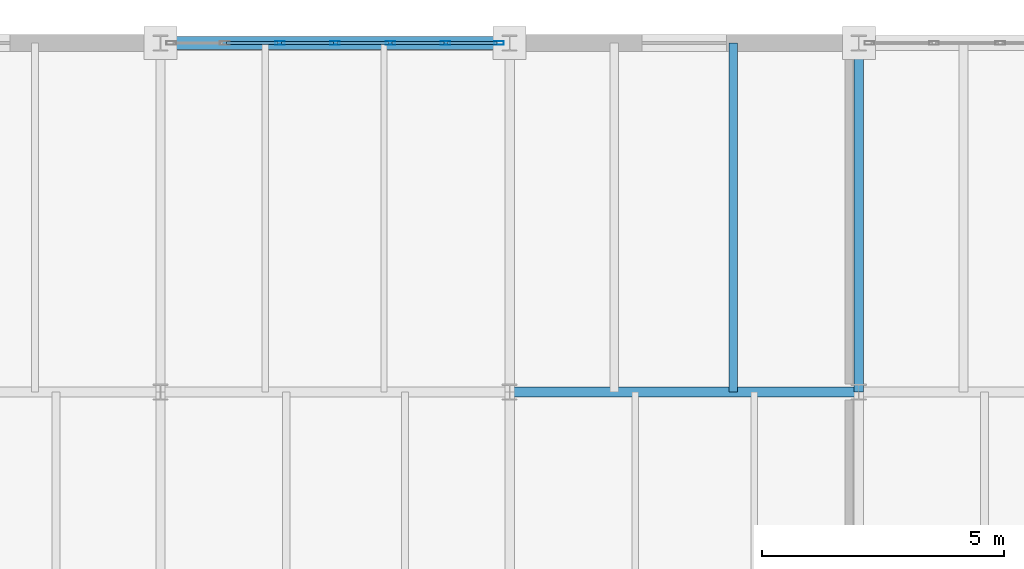
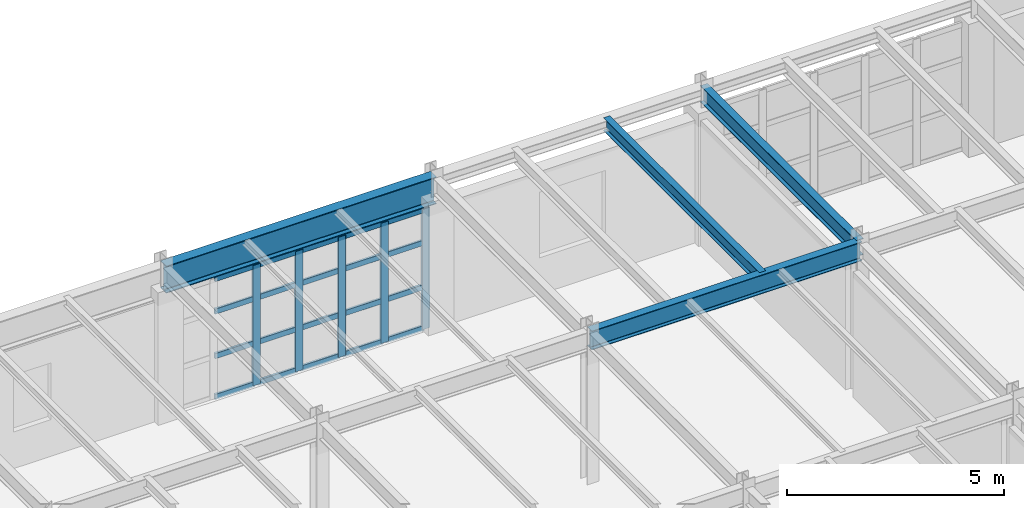
# One storey, part 60 of 137: 25 members, 4 beams, 1 element without a shape of its own.
"""IFC4 building model written with IfcOpenShell, lengths in metres."""

from ifc_helpers import new_model, si_unit, direction, frame, origin, origin_2d, place, context, subcontext, project, spatial, hollow_rectangle, i_section, extrude, material, layer, layer_set, material_profile, profile_set, type_object, element, aggregate, save


model = new_model("IFC4")

# Units and contexts
model_context = context("Model", 3, precision=1e-05, world=origin(), true_north=direction((0.0, 1.0)))
body_context = subcontext(model_context, "Body", "Model", "MODEL_VIEW")
ifc_project = project(units=[si_unit("LENGTHUNIT", "METRE"), si_unit("AREAUNIT", "SQUARE_METRE"), si_unit("VOLUMEUNIT", "CUBIC_METRE"), si_unit("PLANEANGLEUNIT", "RADIAN"), si_unit("MASSUNIT", "GRAM", prefix="KILO")], contexts=[model_context])

# Site, building, storey
site_placement = place(None, origin())
site = spatial("IfcSite", under=ifc_project, at=site_placement, CompositionType="ELEMENT")
building_placement = place(site_placement, origin())
building = spatial("IfcBuilding", under=site, at=building_placement, Name="Kemerveld Promenade Tramway Depot", CompositionType="ELEMENT")
storey_placement = place(building_placement, frame((0.0, 0.0, 5.39990234375)))
storey = spatial("IfcBuildingStorey", under=building, at=storey_placement, Name="L01", CompositionType="ELEMENT", Elevation=5.39990234375)

# Beams
ifc_material_1 = material(Name="Steel S355", Category="steel")
ifc_material_profile_1 = material_profile(ifc_material_1, i_section(OverallWidth=0.2666015625, OverallDepth=0.76220703125, WebThickness=0.014404296875, FlangeThickness=0.021484375, FilletRadius=0.0166015625, at=origin_2d()), Name="762x267x173 UB")
ifc_profile_set_1 = profile_set([ifc_material_profile_1], Name="Steel S355")
beam_type_1 = type_object("IfcBeamType", Name="BM-G02", PredefinedType="BEAM", material=ifc_profile_set_1)
beam_1_placement = place(storey_placement, frame((14.39990234375, 79.199951171875, 3.87890625), z_axis=(1.0, 0.0, 0.0), x_axis=(0.0, 1.0, 0.0)))
element("IfcBeam", 1, at=beam_1_placement, inside=storey, type_object=beam_type_1, Name="BMX-L01-03-04-M", PredefinedType="BEAM", context=body_context, shape_type="SweptSolid", body=[
    extrude(i_section(OverallWidth=0.2666015625, OverallDepth=0.76220703125, WebThickness=0.014404296875, FlangeThickness=0.021484375, FilletRadius=0.0166015625, at=origin_2d()), origin(), (0.0, 0.0, 1.0), 7.2001953125),
])
ifc_material_profile_2 = material_profile(ifc_material_1, i_section(OverallWidth=0.2099609375, OverallDepth=0.53662109375, WebThickness=0.0107421875, FlangeThickness=0.017333984375, FilletRadius=0.0126953125, at=origin_2d()), Name="533x210x101 UB")
ifc_profile_set_2 = profile_set([ifc_material_profile_2], Name="Steel S355")
beam_type_2 = type_object("IfcBeamType", Name="BM-G05", PredefinedType="BEAM", material=ifc_profile_set_2)
beam_2_placement = place(storey_placement, frame((21.60009765625, 72.0, 3.99169921875), z_axis=(1.0, 0.0, 0.0), x_axis=(0.0, 1.0, 0.0)))
element("IfcBeam", 2, at=beam_2_placement, inside=storey, type_object=beam_type_2, Name="BMX-L01-04-05-L", PredefinedType="BEAM", context=body_context, shape_type="SweptSolid", body=[
    extrude(i_section(OverallWidth=0.2099609375, OverallDepth=0.53662109375, WebThickness=0.0107421875, FlangeThickness=0.017333984375, FilletRadius=0.0126953125, at=origin_2d()), origin(), (0.0, 0.0, 1.0), 7.199951171875),
])
ifc_material_profile_3 = material_profile(ifc_material_1, i_section(OverallWidth=0.19140625, OverallDepth=0.4599609375, WebThickness=0.010009765625, FlangeThickness=0.01611328125, FilletRadius=0.01025390625, at=origin_2d()), Name="457x191x82 UB")
ifc_profile_set_3 = profile_set([ifc_material_profile_3], Name="Steel S355")
beam_type_3 = type_object("IfcBeamType", Name="BM-G06", PredefinedType="BEAM", material=ifc_profile_set_3)
beam_3_placement = place(storey_placement, frame((28.800048828125, 72.0, 4.030029296875), z_axis=(0.0, 1.0, 0.0), x_axis=(-1.0, 0.0, 0.0)))
element("IfcBeam", 3, at=beam_3_placement, inside=storey, type_object=beam_type_3, Name="BMY-L01-05-L-M", PredefinedType="BEAM", context=body_context, shape_type="SweptSolid", body=[
    extrude(i_section(OverallWidth=0.19140625, OverallDepth=0.4599609375, WebThickness=0.010009765625, FlangeThickness=0.01611328125, FilletRadius=0.01025390625, at=origin_2d()), origin(), (0.0, 0.0, 1.0), 7.199951171875),
])
ifc_material_profile_4 = material_profile(ifc_material_1, i_section(OverallWidth=0.172119140625, OverallDepth=0.35791015625, WebThickness=0.008056640625, FlangeThickness=0.012939453125, FilletRadius=0.01025390625, at=origin_2d()), Name="356x171x57 UB")
ifc_profile_set_4 = profile_set([ifc_material_profile_4], Name="Steel S355")
beam_type_4 = type_object("IfcBeamType", Name="BM-J04", PredefinedType="JOIST", material=ifc_profile_set_4)
beam_4_placement = place(storey_placement, frame((26.2080078125, 72.0, 4.0810546875), z_axis=(0.0, 1.0, 0.0), x_axis=(-1.0, 0.0, 0.0)))
element("IfcBeam", 4, at=beam_4_placement, inside=storey, type_object=beam_type_4, Name="JST-L01-04-L-2", PredefinedType="JOIST", context=body_context, shape_type="SweptSolid", body=[
    extrude(i_section(OverallWidth=0.172119140625, OverallDepth=0.35791015625, WebThickness=0.008056640625, FlangeThickness=0.012939453125, FilletRadius=0.01025390625, at=origin_2d()), origin(), (0.0, 0.0, 1.0), 7.199951171875),
])

# Curtain wall, members
ifc_material_2 = material(Name="Bronze anodised aluminium and solar glass", Category="aluminium")
ifc_layer = layer(ifc_material_2, 0.199951171875)
ifc_layer_set = layer_set([ifc_layer], Name="CW-SYS-06")
curtain_wall_type = type_object("IfcCurtainWallType", Name="CW-SYS-06", PredefinedType="USERDEFINED", material=ifc_layer_set)
curtain_wall_placement = place(storey_placement, origin())
curtain_wall = element("IfcCurtainWall", 5, at=curtain_wall_placement, inside=storey, type_object=curtain_wall_type, Name="CW-L01-V5N-03", ObjectType="GLAZED_CURTAIN_WALL", PredefinedType="USERDEFINED")
ifc_material_3 = material(Name="Bronze anodised aluminium", Category="aluminium")
ifc_material_profile_5 = material_profile(ifc_material_3, hollow_rectangle(XDim=0.074951171875, YDim=0.199951171875, WallThickness=0.0048828125, InnerFilletRadius=0.001953125, OuterFilletRadius=0.0048828125, at=origin_2d()), Name="CW-MUL-200x75")
ifc_profile_set_5 = profile_set([ifc_material_profile_5], Name="Bronze anodised aluminium")
member_type_1 = type_object("IfcMemberType", Name="CW-MUL-B", PredefinedType="MULLION", material=ifc_profile_set_5)
member_1_placement = place(storey_placement, frame((16.861328125, 79.199951171875, 0.0), z_axis=(0.0, 0.0, 1.0), x_axis=(0.0, 1.0, 0.0)))
member_1 = element("IfcMember", 6, at=member_1_placement, type_object=member_type_1, Name="CW06 mullion 3", PredefinedType="MULLION", context=body_context, shape_type="SweptSolid", body=[
    extrude(hollow_rectangle(XDim=0.074951171875, YDim=0.199951171875, WallThickness=0.0048828125, InnerFilletRadius=0.001953125, OuterFilletRadius=0.0048828125, at=origin_2d()), origin(), (0.0, 0.0, 1.0), 3.389404296875),
])
member_2_placement = place(storey_placement, frame((18.0, 79.199951171875, 0.0), z_axis=(0.0, 0.0, 1.0), x_axis=(0.0, 1.0, 0.0)))
member_2 = element("IfcMember", 7, at=member_2_placement, type_object=member_type_1, Name="CW06 mullion 4", PredefinedType="MULLION", context=body_context, shape_type="SweptSolid", body=[
    extrude(hollow_rectangle(XDim=0.074951171875, YDim=0.199951171875, WallThickness=0.0048828125, InnerFilletRadius=0.001953125, OuterFilletRadius=0.0048828125, at=origin_2d()), origin(), (0.0, 0.0, 1.0), 3.389404296875),
])
member_3_placement = place(storey_placement, frame((19.138916015625, 79.199951171875, 0.0), z_axis=(0.0, 0.0, 1.0), x_axis=(0.0, 1.0, 0.0)))
member_3 = element("IfcMember", 8, at=member_3_placement, type_object=member_type_1, Name="CW06 mullion 5", PredefinedType="MULLION", context=body_context, shape_type="SweptSolid", body=[
    extrude(hollow_rectangle(XDim=0.074951171875, YDim=0.199951171875, WallThickness=0.0048828125, InnerFilletRadius=0.001953125, OuterFilletRadius=0.0048828125, at=origin_2d()), origin(), (0.0, 0.0, 1.0), 3.389404296875),
])
member_4_placement = place(storey_placement, frame((20.277587890625, 79.199951171875, 0.0), z_axis=(0.0, 0.0, 1.0), x_axis=(0.0, 1.0, 0.0)))
member_4 = element("IfcMember", 9, at=member_4_placement, type_object=member_type_1, Name="CW06 mullion 6", PredefinedType="MULLION", context=body_context, shape_type="SweptSolid", body=[
    extrude(hollow_rectangle(XDim=0.074951171875, YDim=0.199951171875, WallThickness=0.0048828125, InnerFilletRadius=0.001953125, OuterFilletRadius=0.0048828125, at=origin_2d()), origin(), (0.0, 0.0, 1.0), 3.389404296875),
])
member_5_placement = place(storey_placement, frame((21.37890625, 79.199951171875, 0.0), z_axis=(0.0, 0.0, 1.0), x_axis=(0.0, 1.0, 0.0)))
member_5 = element("IfcMember", 10, at=member_5_placement, type_object=member_type_1, Name="CW06 mullion 7", PredefinedType="MULLION", context=body_context, shape_type="SweptSolid", body=[
    extrude(hollow_rectangle(XDim=0.074951171875, YDim=0.199951171875, WallThickness=0.0048828125, InnerFilletRadius=0.001953125, OuterFilletRadius=0.0048828125, at=origin_2d()), origin(), (0.0, 0.0, 1.0), 3.389404296875),
])
ifc_material_profile_6 = material_profile(ifc_material_3, hollow_rectangle(XDim=0.06494140625, YDim=0.14990234375, WallThickness=0.00439453125, InnerFilletRadius=0.001953125, OuterFilletRadius=0.00439453125, at=origin_2d()), Name="CW-TRN-150x65")
ifc_profile_set_6 = profile_set([ifc_material_profile_6], Name="Bronze anodised aluminium")
member_type_2 = type_object("IfcMemberType", Name="CW-TRN-B", PredefinedType="USERDEFINED", material=ifc_profile_set_6)
member_6_placement = place(storey_placement, frame((15.760009765625, 79.199951171875, 0.03271484375), z_axis=(1.0, 0.0, 0.0), x_axis=(0.0, 1.0, 0.0)))
member_6 = element("IfcMember", 11, at=member_6_placement, type_object=member_type_2, Name="CW06 transom 2.1", ObjectType="TRANSOM", PredefinedType="USERDEFINED", context=body_context, shape_type="SweptSolid", body=[
    extrude(hollow_rectangle(XDim=0.06494140625, YDim=0.14990234375, WallThickness=0.00439453125, InnerFilletRadius=0.001953125, OuterFilletRadius=0.00439453125, at=origin_2d()), origin(), (0.0, 0.0, 1.0), 1.063720703125),
])
member_7_placement = place(storey_placement, frame((15.760009765625, 79.199951171875, 1.18603515625), z_axis=(1.0, 0.0, 0.0), x_axis=(0.0, 1.0, 0.0)))
member_7 = element("IfcMember", 12, at=member_7_placement, type_object=member_type_2, Name="CW06 transom 2.2", ObjectType="TRANSOM", PredefinedType="USERDEFINED", context=body_context, shape_type="SweptSolid", body=[
    extrude(hollow_rectangle(XDim=0.06494140625, YDim=0.14990234375, WallThickness=0.00439453125, InnerFilletRadius=0.001953125, OuterFilletRadius=0.00439453125, at=origin_2d()), origin(), (0.0, 0.0, 1.0), 1.063720703125),
])
member_8_placement = place(storey_placement, frame((15.760009765625, 79.199951171875, 2.440185546875), z_axis=(1.0, 0.0, 0.0), x_axis=(0.0, 1.0, 0.0)))
member_8 = element("IfcMember", 13, at=member_8_placement, type_object=member_type_2, Name="CW06 transom 2.3", ObjectType="TRANSOM", PredefinedType="USERDEFINED", context=body_context, shape_type="SweptSolid", body=[
    extrude(hollow_rectangle(XDim=0.06494140625, YDim=0.14990234375, WallThickness=0.00439453125, InnerFilletRadius=0.001953125, OuterFilletRadius=0.00439453125, at=origin_2d()), origin(), (0.0, 0.0, 1.0), 1.063720703125),
])
member_9_placement = place(storey_placement, frame((15.760009765625, 79.199951171875, 3.356689453125), z_axis=(1.0, 0.0, 0.0), x_axis=(0.0, 1.0, 0.0)))
member_9 = element("IfcMember", 14, at=member_9_placement, type_object=member_type_2, Name="CW06 transom 2.4", ObjectType="TRANSOM", PredefinedType="USERDEFINED", context=body_context, shape_type="SweptSolid", body=[
    extrude(hollow_rectangle(XDim=0.06494140625, YDim=0.14990234375, WallThickness=0.00439453125, InnerFilletRadius=0.001953125, OuterFilletRadius=0.00439453125, at=origin_2d()), origin(), (0.0, 0.0, 1.0), 1.063720703125),
])
member_10_placement = place(storey_placement, frame((16.898681640625, 79.199951171875, 0.03271484375), z_axis=(1.0, 0.0, 0.0), x_axis=(0.0, 1.0, 0.0)))
member_10 = element("IfcMember", 15, at=member_10_placement, type_object=member_type_2, Name="CW06 transom 3.1", ObjectType="TRANSOM", PredefinedType="USERDEFINED", context=body_context, shape_type="SweptSolid", body=[
    extrude(hollow_rectangle(XDim=0.06494140625, YDim=0.14990234375, WallThickness=0.00439453125, InnerFilletRadius=0.001953125, OuterFilletRadius=0.00439453125, at=origin_2d()), origin(), (0.0, 0.0, 1.0), 1.06396484375),
])
member_11_placement = place(storey_placement, frame((16.898681640625, 79.199951171875, 1.18603515625), z_axis=(1.0, 0.0, 0.0), x_axis=(0.0, 1.0, 0.0)))
member_11 = element("IfcMember", 16, at=member_11_placement, type_object=member_type_2, Name="CW06 transom 3.2", ObjectType="TRANSOM", PredefinedType="USERDEFINED", context=body_context, shape_type="SweptSolid", body=[
    extrude(hollow_rectangle(XDim=0.06494140625, YDim=0.14990234375, WallThickness=0.00439453125, InnerFilletRadius=0.001953125, OuterFilletRadius=0.00439453125, at=origin_2d()), origin(), (0.0, 0.0, 1.0), 1.06396484375),
])
member_12_placement = place(storey_placement, frame((16.898681640625, 79.199951171875, 2.440185546875), z_axis=(1.0, 0.0, 0.0), x_axis=(0.0, 1.0, 0.0)))
member_12 = element("IfcMember", 17, at=member_12_placement, type_object=member_type_2, Name="CW06 transom 3.3", ObjectType="TRANSOM", PredefinedType="USERDEFINED", context=body_context, shape_type="SweptSolid", body=[
    extrude(hollow_rectangle(XDim=0.06494140625, YDim=0.14990234375, WallThickness=0.00439453125, InnerFilletRadius=0.001953125, OuterFilletRadius=0.00439453125, at=origin_2d()), origin(), (0.0, 0.0, 1.0), 1.06396484375),
])
member_13_placement = place(storey_placement, frame((16.898681640625, 79.199951171875, 3.356689453125), z_axis=(1.0, 0.0, 0.0), x_axis=(0.0, 1.0, 0.0)))
member_13 = element("IfcMember", 18, at=member_13_placement, type_object=member_type_2, Name="CW06 transom 3.4", ObjectType="TRANSOM", PredefinedType="USERDEFINED", context=body_context, shape_type="SweptSolid", body=[
    extrude(hollow_rectangle(XDim=0.06494140625, YDim=0.14990234375, WallThickness=0.00439453125, InnerFilletRadius=0.001953125, OuterFilletRadius=0.00439453125, at=origin_2d()), origin(), (0.0, 0.0, 1.0), 1.06396484375),
])
member_14_placement = place(storey_placement, frame((18.03759765625, 79.199951171875, 0.03271484375), z_axis=(1.0, 0.0, 0.0), x_axis=(0.0, 1.0, 0.0)))
member_14 = element("IfcMember", 19, at=member_14_placement, type_object=member_type_2, Name="CW06 transom 4.1", ObjectType="TRANSOM", PredefinedType="USERDEFINED", context=body_context, shape_type="SweptSolid", body=[
    extrude(hollow_rectangle(XDim=0.06494140625, YDim=0.14990234375, WallThickness=0.00439453125, InnerFilletRadius=0.001953125, OuterFilletRadius=0.00439453125, at=origin_2d()), origin(), (0.0, 0.0, 1.0), 1.063720703125),
])
member_15_placement = place(storey_placement, frame((18.03759765625, 79.199951171875, 1.18603515625), z_axis=(1.0, 0.0, 0.0), x_axis=(0.0, 1.0, 0.0)))
member_15 = element("IfcMember", 20, at=member_15_placement, type_object=member_type_2, Name="CW06 transom 4.2", ObjectType="TRANSOM", PredefinedType="USERDEFINED", context=body_context, shape_type="SweptSolid", body=[
    extrude(hollow_rectangle(XDim=0.06494140625, YDim=0.14990234375, WallThickness=0.00439453125, InnerFilletRadius=0.001953125, OuterFilletRadius=0.00439453125, at=origin_2d()), origin(), (0.0, 0.0, 1.0), 1.063720703125),
])
member_16_placement = place(storey_placement, frame((18.03759765625, 79.199951171875, 2.440185546875), z_axis=(1.0, 0.0, 0.0), x_axis=(0.0, 1.0, 0.0)))
member_16 = element("IfcMember", 21, at=member_16_placement, type_object=member_type_2, Name="CW06 transom 4.3", ObjectType="TRANSOM", PredefinedType="USERDEFINED", context=body_context, shape_type="SweptSolid", body=[
    extrude(hollow_rectangle(XDim=0.06494140625, YDim=0.14990234375, WallThickness=0.00439453125, InnerFilletRadius=0.001953125, OuterFilletRadius=0.00439453125, at=origin_2d()), origin(), (0.0, 0.0, 1.0), 1.063720703125),
])
member_17_placement = place(storey_placement, frame((18.03759765625, 79.199951171875, 3.356689453125), z_axis=(1.0, 0.0, 0.0), x_axis=(0.0, 1.0, 0.0)))
member_17 = element("IfcMember", 22, at=member_17_placement, type_object=member_type_2, Name="CW06 transom 4.4", ObjectType="TRANSOM", PredefinedType="USERDEFINED", context=body_context, shape_type="SweptSolid", body=[
    extrude(hollow_rectangle(XDim=0.06494140625, YDim=0.14990234375, WallThickness=0.00439453125, InnerFilletRadius=0.001953125, OuterFilletRadius=0.00439453125, at=origin_2d()), origin(), (0.0, 0.0, 1.0), 1.063720703125),
])
member_18_placement = place(storey_placement, frame((19.17626953125, 79.199951171875, 0.03271484375), z_axis=(1.0, 0.0, 0.0), x_axis=(0.0, 1.0, 0.0)))
member_18 = element("IfcMember", 23, at=member_18_placement, type_object=member_type_2, Name="CW06 transom 5.1", ObjectType="TRANSOM", PredefinedType="USERDEFINED", context=body_context, shape_type="SweptSolid", body=[
    extrude(hollow_rectangle(XDim=0.06494140625, YDim=0.14990234375, WallThickness=0.00439453125, InnerFilletRadius=0.001953125, OuterFilletRadius=0.00439453125, at=origin_2d()), origin(), (0.0, 0.0, 1.0), 1.06396484375),
])
member_19_placement = place(storey_placement, frame((19.17626953125, 79.199951171875, 1.18603515625), z_axis=(1.0, 0.0, 0.0), x_axis=(0.0, 1.0, 0.0)))
member_19 = element("IfcMember", 24, at=member_19_placement, type_object=member_type_2, Name="CW06 transom 5.2", ObjectType="TRANSOM", PredefinedType="USERDEFINED", context=body_context, shape_type="SweptSolid", body=[
    extrude(hollow_rectangle(XDim=0.06494140625, YDim=0.14990234375, WallThickness=0.00439453125, InnerFilletRadius=0.001953125, OuterFilletRadius=0.00439453125, at=origin_2d()), origin(), (0.0, 0.0, 1.0), 1.06396484375),
])
member_20_placement = place(storey_placement, frame((19.17626953125, 79.199951171875, 2.440185546875), z_axis=(1.0, 0.0, 0.0), x_axis=(0.0, 1.0, 0.0)))
member_20 = element("IfcMember", 25, at=member_20_placement, type_object=member_type_2, Name="CW06 transom 5.3", ObjectType="TRANSOM", PredefinedType="USERDEFINED", context=body_context, shape_type="SweptSolid", body=[
    extrude(hollow_rectangle(XDim=0.06494140625, YDim=0.14990234375, WallThickness=0.00439453125, InnerFilletRadius=0.001953125, OuterFilletRadius=0.00439453125, at=origin_2d()), origin(), (0.0, 0.0, 1.0), 1.06396484375),
])
member_21_placement = place(storey_placement, frame((19.17626953125, 79.199951171875, 3.356689453125), z_axis=(1.0, 0.0, 0.0), x_axis=(0.0, 1.0, 0.0)))
member_21 = element("IfcMember", 26, at=member_21_placement, type_object=member_type_2, Name="CW06 transom 5.4", ObjectType="TRANSOM", PredefinedType="USERDEFINED", context=body_context, shape_type="SweptSolid", body=[
    extrude(hollow_rectangle(XDim=0.06494140625, YDim=0.14990234375, WallThickness=0.00439453125, InnerFilletRadius=0.001953125, OuterFilletRadius=0.00439453125, at=origin_2d()), origin(), (0.0, 0.0, 1.0), 1.06396484375),
])
member_22_placement = place(storey_placement, frame((20.315185546875, 79.199951171875, 0.03271484375), z_axis=(1.0, 0.0, 0.0), x_axis=(0.0, 1.0, 0.0)))
member_22 = element("IfcMember", 27, at=member_22_placement, type_object=member_type_2, Name="CW06 transom 6.1", ObjectType="TRANSOM", PredefinedType="USERDEFINED", context=body_context, shape_type="SweptSolid", body=[
    extrude(hollow_rectangle(XDim=0.06494140625, YDim=0.14990234375, WallThickness=0.00439453125, InnerFilletRadius=0.001953125, OuterFilletRadius=0.00439453125, at=origin_2d()), origin(), (0.0, 0.0, 1.0), 1.0263671875),
])
member_23_placement = place(storey_placement, frame((20.315185546875, 79.199951171875, 1.18603515625), z_axis=(1.0, 0.0, 0.0), x_axis=(0.0, 1.0, 0.0)))
member_23 = element("IfcMember", 28, at=member_23_placement, type_object=member_type_2, Name="CW06 transom 6.2", ObjectType="TRANSOM", PredefinedType="USERDEFINED", context=body_context, shape_type="SweptSolid", body=[
    extrude(hollow_rectangle(XDim=0.06494140625, YDim=0.14990234375, WallThickness=0.00439453125, InnerFilletRadius=0.001953125, OuterFilletRadius=0.00439453125, at=origin_2d()), origin(), (0.0, 0.0, 1.0), 1.0263671875),
])
member_24_placement = place(storey_placement, frame((20.315185546875, 79.199951171875, 2.440185546875), z_axis=(1.0, 0.0, 0.0), x_axis=(0.0, 1.0, 0.0)))
member_24 = element("IfcMember", 29, at=member_24_placement, type_object=member_type_2, Name="CW06 transom 6.3", ObjectType="TRANSOM", PredefinedType="USERDEFINED", context=body_context, shape_type="SweptSolid", body=[
    extrude(hollow_rectangle(XDim=0.06494140625, YDim=0.14990234375, WallThickness=0.00439453125, InnerFilletRadius=0.001953125, OuterFilletRadius=0.00439453125, at=origin_2d()), origin(), (0.0, 0.0, 1.0), 1.0263671875),
])
member_25_placement = place(storey_placement, frame((20.315185546875, 79.199951171875, 3.356689453125), z_axis=(1.0, 0.0, 0.0), x_axis=(0.0, 1.0, 0.0)))
member_25 = element("IfcMember", 30, at=member_25_placement, type_object=member_type_2, Name="CW06 transom 6.4", ObjectType="TRANSOM", PredefinedType="USERDEFINED", context=body_context, shape_type="SweptSolid", body=[
    extrude(hollow_rectangle(XDim=0.06494140625, YDim=0.14990234375, WallThickness=0.00439453125, InnerFilletRadius=0.001953125, OuterFilletRadius=0.00439453125, at=origin_2d()), origin(), (0.0, 0.0, 1.0), 1.0263671875),
])
aggregate(curtain_wall, [member_1, member_2, member_3, member_4, member_5, member_6, member_7, member_8, member_9, member_10, member_11, member_12, member_13, member_14, member_15, member_16, member_17, member_18, member_19, member_20, member_21, member_22, member_23, member_24, member_25])

save(model, "model.ifc")
